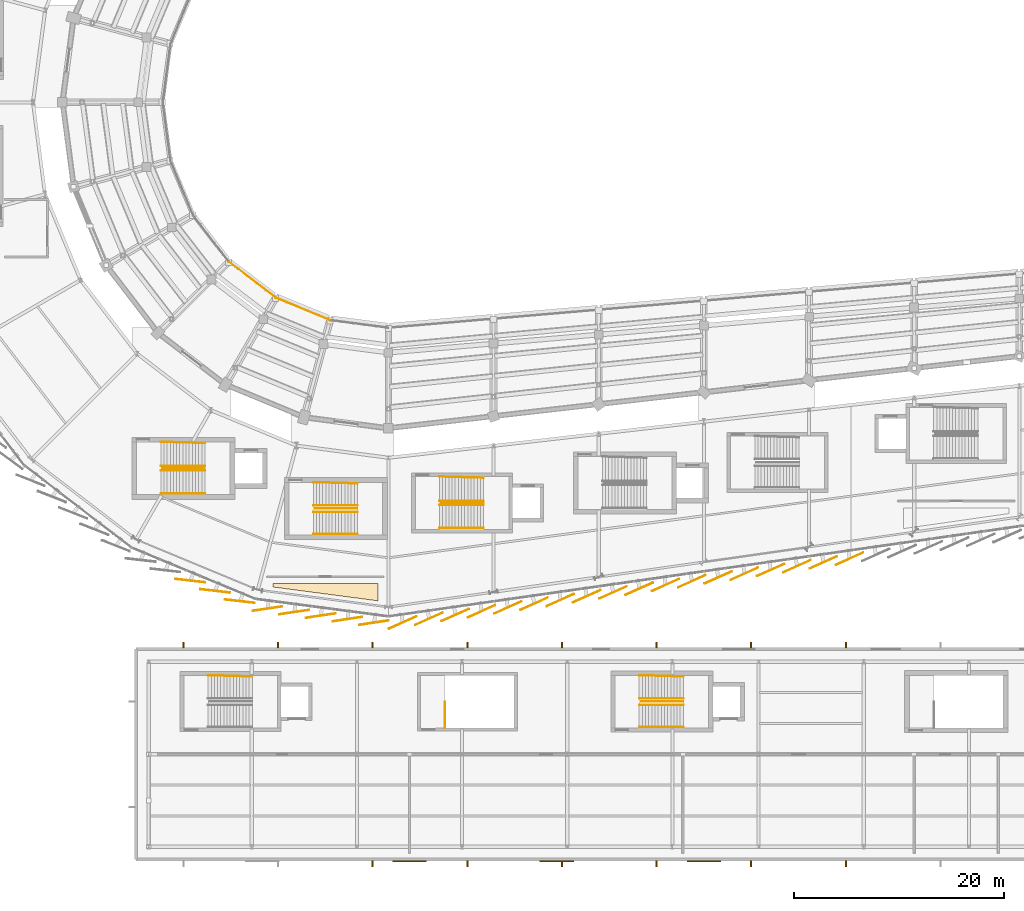
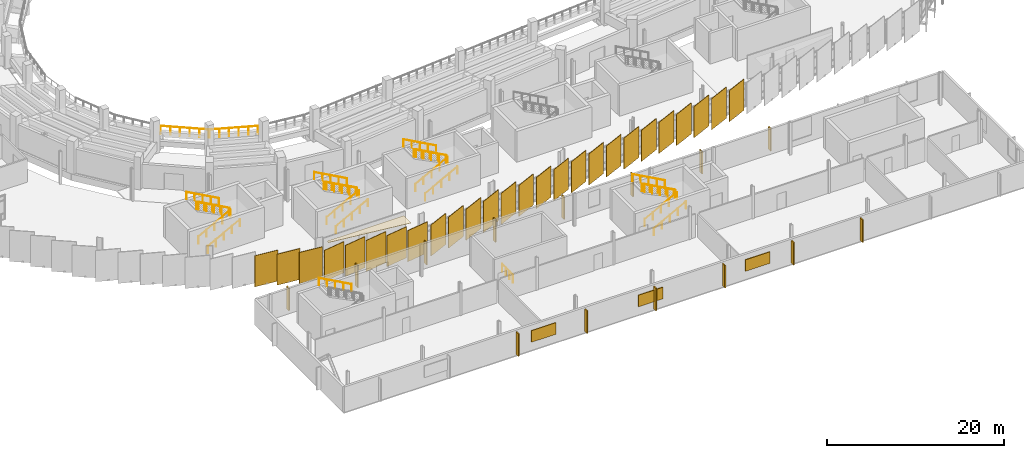
# One storey, part 112 of 120: 27 coverings, 24 railings, 17 shading devices.
"""IFC4 building model written with IfcOpenShell, lengths in metres."""

from ifc_helpers import new_model, si_unit, direction, frame, origin, origin_2d, place, context, subcontext, project, spatial, polyline, rectangle, circle, outline, extrude, material, layer, layer_set, type_object, element, save


model = new_model("IFC4")

# Units and contexts
model_context = context("Model", 3, precision=1e-05, world=origin(), true_north=direction((0.0, 1.0)))
body_context = subcontext(model_context, "Body", "Model", "MODEL_VIEW")
ifc_project = project(units=[si_unit("LENGTHUNIT", "METRE"), si_unit("AREAUNIT", "SQUARE_METRE"), si_unit("VOLUMEUNIT", "CUBIC_METRE"), si_unit("PLANEANGLEUNIT", "RADIAN"), si_unit("MASSUNIT", "GRAM", prefix="KILO")], contexts=[model_context])

# Site, building, storey
site_placement = place(None, origin())
site = spatial("IfcSite", under=ifc_project, at=site_placement, CompositionType="ELEMENT")
building_placement = place(site_placement, origin())
building = spatial("IfcBuilding", under=site, at=building_placement, Name="Sohan Crest Arena", CompositionType="ELEMENT")
storey_placement = place(building_placement, frame((0.0, 0.0, 13.5)))
storey = spatial("IfcBuildingStorey", under=building, at=storey_placement, Name="L03", CompositionType="ELEMENT", Elevation=13.5)

# Railings
ifc_material_1 = material(Name="Powder-coated wrought steel balustrade", Category="steel")
railing_type_1 = type_object("IfcRailingType", Name="ARC-GRD-01", PredefinedType="GUARDRAIL", material=ifc_material_1)
for number, where, name in (
    (1, (80.530029296875, 43.199951171875, 2.25), "Stair well slot guard GRD-019"),
    (2, (107.030029296875, 39.89990234375, 2.25), "Stair well slot guard GRD-032"),
):
    element("IfcRailing", number, at=place(storey_placement, frame(where)), inside=storey, type_object=railing_type_1, Name=name, PredefinedType="GUARDRAIL", context=body_context, shape_type="SweptSolid", body=[
        extrude(circle(Radius=0.02392578125, at=origin_2d()), frame((0.0, 0.0, 1.076171875), z_axis=(-0.87313487534, 0.0, 0.487478706678), x_axis=(0.0, -1.0, 0.0)), (0.0, 0.0, 1.0), 4.615478515625),
        extrude(circle(Radius=0.02099609375, at=origin_2d()), origin(), (0.0, 0.0, 1.0), 1.052001953125),
        extrude(circle(Radius=0.02099609375, at=origin_2d()), frame((-1.007568359375, 0.0, 0.5625)), (0.0, 0.0, 1.0), 1.052001953125),
        extrude(circle(Radius=0.02099609375, at=origin_2d()), frame((-2.01513671875, 0.0, 1.125)), (0.0, 0.0, 1.0), 1.052001953125),
        extrude(circle(Radius=0.02099609375, at=origin_2d()), frame((-3.0224609375, 0.0, 1.6875)), (0.0, 0.0, 1.0), 1.052001953125),
        extrude(circle(Radius=0.02099609375, at=origin_2d()), frame((-4.030029296875, 0.0, 2.25)), (0.0, 0.0, 1.0), 1.052001953125),
    ])
railing_1_placement = place(storey_placement, frame((103.3701171875, 18.52001953125, 0.0)))
element("IfcRailing", 3, at=railing_1_placement, inside=storey, type_object=railing_type_1, Name="Top stair landing well guard GRD-070", PredefinedType="GUARDRAIL", context=body_context, shape_type="SweptSolid", body=[
    extrude(circle(Radius=0.02392578125, at=origin_2d()), frame((0.0, 0.0, 1.076171875), z_axis=(0.0, 1.0, 0.0), x_axis=(-1.0, 0.0, 0.0)), (0.0, 0.0, 1.0), 2.4599609375),
    extrude(circle(Radius=0.02099609375, at=origin_2d()), origin(), (0.0, 0.0, 1.0), 1.052001953125),
    extrude(circle(Radius=0.02099609375, at=origin_2d()), frame((0.0, 0.820068359375, 0.0)), (0.0, 0.0, 1.0), 1.052001953125),
    extrude(circle(Radius=0.02099609375, at=origin_2d()), frame((0.0, 1.639892578125, 0.0)), (0.0, 0.0, 1.0), 1.052001953125),
    extrude(circle(Radius=0.02099609375, at=origin_2d()), frame((0.0, 2.4599609375, 0.0)), (0.0, 0.0, 1.0), 1.052001953125),
])
for number, where, name in (
    (4, (126.030029296875, 21.0, 2.25), "Stair well slot guard GRD-097"),
    (5, (95.030029296875, 39.360107421875, 2.25), "Stair well slot guard GRD-103"),
):
    element("IfcRailing", number, at=place(storey_placement, frame(where)), inside=storey, type_object=railing_type_1, Name=name, PredefinedType="GUARDRAIL", context=body_context, shape_type="SweptSolid", body=[
        extrude(circle(Radius=0.02392578125, at=origin_2d()), frame((0.0, 0.0, 1.076171875), z_axis=(-0.87313487534, 0.0, 0.487478706678), x_axis=(0.0, -1.0, 0.0)), (0.0, 0.0, 1.0), 4.615478515625),
        extrude(circle(Radius=0.02099609375, at=origin_2d()), origin(), (0.0, 0.0, 1.0), 1.052001953125),
        extrude(circle(Radius=0.02099609375, at=origin_2d()), frame((-1.007568359375, 0.0, 0.5625)), (0.0, 0.0, 1.0), 1.052001953125),
        extrude(circle(Radius=0.02099609375, at=origin_2d()), frame((-2.01513671875, 0.0, 1.125)), (0.0, 0.0, 1.0), 1.052001953125),
        extrude(circle(Radius=0.02099609375, at=origin_2d()), frame((-3.0224609375, 0.0, 1.6875)), (0.0, 0.0, 1.0), 1.052001953125),
        extrude(circle(Radius=0.02099609375, at=origin_2d()), frame((-4.030029296875, 0.0, 2.25)), (0.0, 0.0, 1.0), 1.052001953125),
    ])
ifc_material_2 = material(Name="Laminated glass and steel sightline guard", Category="steel")
railing_type_2 = type_object("IfcRailingType", Name="ARC-GRD-02", PredefinedType="GUARDRAIL", material=ifc_material_2)
railing_2_placement = place(storey_placement, frame((82.864990234375, 62.80908203125, 0.85009765625)))
element("IfcRailing", 6, at=railing_2_placement, inside=storey, type_object=railing_type_2, Name="Upper tier cantilevered sightline guard GRD-166", PredefinedType="GUARDRAIL", context=body_context, shape_type="SweptSolid", body=[
    extrude(circle(Radius=0.02392578125, at=origin_2d()), frame((0.0, 0.0, 1.1259765625), z_axis=(0.793197524177, -0.608964438732, 0.0), x_axis=(0.608964438732, 0.793197524177, 0.0)), (0.0, 0.0, 1.0), 5.519287109375),
    extrude(circle(Radius=0.02099609375, at=origin_2d()), origin(), (0.0, 0.0, 1.0), 1.101806640625),
    extrude(circle(Radius=0.02099609375, at=origin_2d()), frame((0.87548828125, -0.672119140625, 0.0)), (0.0, 0.0, 1.0), 1.101806640625),
    extrude(circle(Radius=0.02099609375, at=origin_2d()), frame((1.751220703125, -1.344482421875, 0.0)), (0.0, 0.0, 1.0), 1.101806640625),
    extrude(circle(Radius=0.02099609375, at=origin_2d()), frame((2.626708984375, -2.0166015625, 0.0)), (0.0, 0.0, 1.0), 1.101806640625),
    extrude(circle(Radius=0.02099609375, at=origin_2d()), frame((3.50244140625, -2.68896484375, 0.0)), (0.0, 0.0, 1.0), 1.101806640625),
    extrude(circle(Radius=0.02099609375, at=origin_2d()), frame((4.3779296875, -3.361083984375, 0.0)), (0.0, 0.0, 1.0), 1.101806640625),
])
railing_3_placement = place(storey_placement, frame((87.31201171875, 59.408935546875, 0.85009765625)))
element("IfcRailing", 7, at=railing_3_placement, inside=storey, type_object=railing_type_2, Name="Upper tier cantilevered sightline guard GRD-167", PredefinedType="GUARDRAIL", context=body_context, shape_type="SweptSolid", body=[
    extrude(circle(Radius=0.02392578125, at=origin_2d()), frame((0.0, 0.0, 1.1259765625), z_axis=(0.92381462183, -0.382840103037, 0.0), x_axis=(0.382840103037, 0.92381462183, 0.0)), (0.0, 0.0, 1.0), 5.519287109375),
    extrude(circle(Radius=0.02099609375, at=origin_2d()), origin(), (0.0, 0.0, 1.0), 1.101806640625),
    extrude(circle(Radius=0.02099609375, at=origin_2d()), frame((1.019775390625, -0.422607421875, 0.0)), (0.0, 0.0, 1.0), 1.101806640625),
    extrude(circle(Radius=0.02099609375, at=origin_2d()), frame((2.03955078125, -0.84521484375, 0.0)), (0.0, 0.0, 1.0), 1.101806640625),
    extrude(circle(Radius=0.02099609375, at=origin_2d()), frame((3.059326171875, -1.267822265625, 0.0)), (0.0, 0.0, 1.0), 1.101806640625),
    extrude(circle(Radius=0.02099609375, at=origin_2d()), frame((4.0791015625, -1.6904296875, 0.0)), (0.0, 0.0, 1.0), 1.101806640625),
    extrude(circle(Radius=0.02099609375, at=origin_2d()), frame((5.098876953125, -2.113037109375, 0.0)), (0.0, 0.0, 1.0), 1.101806640625),
])
ifc_material_3 = material(Name="Brushed stainless steel stair handrail", Category="steel")
railing_type_3 = type_object("IfcRailingType", Name="ARC-HR-01", PredefinedType="HANDRAIL", material=ifc_material_3)
for number, where, name in (
    (8, (76.35009765625, 40.81005859375, 0.0), "Stair pitch handrail HR-065"),
    (9, (76.35009765625, 42.989990234375, 0.0), "Stair pitch handrail HR-066"),
):
    element("IfcRailing", number, at=place(storey_placement, frame(where)), inside=storey, type_object=railing_type_3, Name=name, PredefinedType="HANDRAIL", context=body_context, shape_type="SweptSolid", body=[
        extrude(circle(Radius=0.02392578125, at=origin_2d()), frame((0.0, 0.0, 0.97607421875), z_axis=(0.881477684796, 0.0, 0.472225678258), x_axis=(0.0, 1.0, 0.0)), (0.0, 0.0, 1.0), 4.7646484375),
        extrude(circle(Radius=0.02099609375, at=origin_2d()), origin(), (0.0, 0.0, 1.0), 0.951904296875),
        extrude(circle(Radius=0.02099609375, at=origin_2d()), frame((1.050048828125, 0.0, 0.5625)), (0.0, 0.0, 1.0), 0.951904296875),
        extrude(circle(Radius=0.02099609375, at=origin_2d()), frame((2.10009765625, 0.0, 1.125)), (0.0, 0.0, 1.0), 0.951904296875),
        extrude(circle(Radius=0.02099609375, at=origin_2d()), frame((3.14990234375, 0.0, 1.6875)), (0.0, 0.0, 1.0), 0.951904296875),
        extrude(circle(Radius=0.02099609375, at=origin_2d()), frame((4.199951171875, 0.0, 2.25)), (0.0, 0.0, 1.0), 0.951904296875),
    ])
railing_4_placement = place(storey_placement, frame((80.550048828125, 43.409912109375, 2.25)))
element("IfcRailing", 10, at=railing_4_placement, inside=storey, type_object=railing_type_3, Name="Stair pitch handrail HR-067", PredefinedType="HANDRAIL", context=body_context, shape_type="SweptSolid", body=[
    extrude(circle(Radius=0.02392578125, at=origin_2d()), frame((0.0, 0.0, 0.97607421875), z_axis=(-0.881477684796, 0.0, 0.472225678258), x_axis=(0.0, -1.0, 0.0)), (0.0, 0.0, 1.0), 4.7646484375),
    extrude(circle(Radius=0.02099609375, at=origin_2d()), origin(), (0.0, 0.0, 1.0), 0.951904296875),
    extrude(circle(Radius=0.02099609375, at=origin_2d()), frame((-1.050048828125, 0.0, 0.5625)), (0.0, 0.0, 1.0), 0.951904296875),
    extrude(circle(Radius=0.02099609375, at=origin_2d()), frame((-2.10009765625, 0.0, 1.125)), (0.0, 0.0, 1.0), 0.951904296875),
    extrude(circle(Radius=0.02099609375, at=origin_2d()), frame((-3.14990234375, 0.0, 1.6875)), (0.0, 0.0, 1.0), 0.951904296875),
    extrude(circle(Radius=0.02099609375, at=origin_2d()), frame((-4.199951171875, 0.0, 2.25)), (0.0, 0.0, 1.0), 0.951904296875),
])
railing_5_placement = place(storey_placement, frame((80.550048828125, 45.590087890625, 2.25)))
element("IfcRailing", 11, at=railing_5_placement, inside=storey, type_object=railing_type_3, Name="Stair pitch handrail HR-068", PredefinedType="HANDRAIL", context=body_context, shape_type="SweptSolid", body=[
    extrude(circle(Radius=0.02392578125, at=origin_2d()), frame((0.0, 0.0, 0.97607421875), z_axis=(-0.881198846469, 0.025150766356, 0.472076298847), x_axis=(-0.028529915312, -0.999592939117, 0.0)), (0.0, 0.0, 1.0), 4.76611328125),
    extrude(circle(Radius=0.02099609375, at=origin_2d()), origin(), (0.0, 0.0, 1.0), 0.951904296875),
    extrude(circle(Radius=0.02099609375, at=origin_2d()), frame((-1.050048828125, 0.030029296875, 0.5625)), (0.0, 0.0, 1.0), 0.951904296875),
    extrude(circle(Radius=0.02099609375, at=origin_2d()), frame((-2.10009765625, 0.06005859375, 1.125)), (0.0, 0.0, 1.0), 0.951904296875),
    extrude(circle(Radius=0.02099609375, at=origin_2d()), frame((-3.14990234375, 0.08984375, 1.6875)), (0.0, 0.0, 1.0), 0.951904296875),
    extrude(circle(Radius=0.02099609375, at=origin_2d()), frame((-4.199951171875, 0.119873046875, 2.25)), (0.0, 0.0, 1.0), 0.951904296875),
])
for number, where, name in (
    (12, (102.85009765625, 37.510009765625, 0.0), "Stair pitch handrail HR-109"),
    (13, (102.85009765625, 39.68994140625, 0.0), "Stair pitch handrail HR-110"),
):
    element("IfcRailing", number, at=place(storey_placement, frame(where)), inside=storey, type_object=railing_type_3, Name=name, PredefinedType="HANDRAIL", context=body_context, shape_type="SweptSolid", body=[
        extrude(circle(Radius=0.02392578125, at=origin_2d()), frame((0.0, 0.0, 0.97607421875), z_axis=(0.881477684796, 0.0, 0.472225678258), x_axis=(0.0, 1.0, 0.0)), (0.0, 0.0, 1.0), 4.7646484375),
        extrude(circle(Radius=0.02099609375, at=origin_2d()), origin(), (0.0, 0.0, 1.0), 0.951904296875),
        extrude(circle(Radius=0.02099609375, at=origin_2d()), frame((1.050048828125, 0.0, 0.5625)), (0.0, 0.0, 1.0), 0.951904296875),
        extrude(circle(Radius=0.02099609375, at=origin_2d()), frame((2.10009765625, 0.0, 1.125)), (0.0, 0.0, 1.0), 0.951904296875),
        extrude(circle(Radius=0.02099609375, at=origin_2d()), frame((3.14990234375, 0.0, 1.6875)), (0.0, 0.0, 1.0), 0.951904296875),
        extrude(circle(Radius=0.02099609375, at=origin_2d()), frame((4.199951171875, 0.0, 2.25)), (0.0, 0.0, 1.0), 0.951904296875),
    ])
railing_6_placement = place(storey_placement, frame((107.050048828125, 40.110107421875, 2.25)))
element("IfcRailing", 14, at=railing_6_placement, inside=storey, type_object=railing_type_3, Name="Stair pitch handrail HR-111", PredefinedType="HANDRAIL", context=body_context, shape_type="SweptSolid", body=[
    extrude(circle(Radius=0.02392578125, at=origin_2d()), frame((0.0, 0.0, 0.97607421875), z_axis=(-0.881477684796, 0.0, 0.472225678258), x_axis=(0.0, -1.0, 0.0)), (0.0, 0.0, 1.0), 4.7646484375),
    extrude(circle(Radius=0.02099609375, at=origin_2d()), origin(), (0.0, 0.0, 1.0), 0.951904296875),
    extrude(circle(Radius=0.02099609375, at=origin_2d()), frame((-1.050048828125, 0.0, 0.5625)), (0.0, 0.0, 1.0), 0.951904296875),
    extrude(circle(Radius=0.02099609375, at=origin_2d()), frame((-2.10009765625, 0.0, 1.125)), (0.0, 0.0, 1.0), 0.951904296875),
    extrude(circle(Radius=0.02099609375, at=origin_2d()), frame((-3.14990234375, 0.0, 1.6875)), (0.0, 0.0, 1.0), 0.951904296875),
    extrude(circle(Radius=0.02099609375, at=origin_2d()), frame((-4.199951171875, 0.0, 2.25)), (0.0, 0.0, 1.0), 0.951904296875),
])
railing_7_placement = place(storey_placement, frame((107.050048828125, 42.2900390625, 2.25)))
element("IfcRailing", 15, at=railing_7_placement, inside=storey, type_object=railing_type_3, Name="Stair pitch handrail HR-112", PredefinedType="HANDRAIL", context=body_context, shape_type="SweptSolid", body=[
    extrude(circle(Radius=0.02392578125, at=origin_2d()), frame((0.0, 0.0, 0.97607421875), z_axis=(-0.881198846469, 0.025150766356, 0.472076298847), x_axis=(-0.028529915312, -0.999592939117, 0.0)), (0.0, 0.0, 1.0), 4.76611328125),
    extrude(circle(Radius=0.02099609375, at=origin_2d()), origin(), (0.0, 0.0, 1.0), 0.951904296875),
    extrude(circle(Radius=0.02099609375, at=origin_2d()), frame((-1.050048828125, 0.030029296875, 0.5625)), (0.0, 0.0, 1.0), 0.951904296875),
    extrude(circle(Radius=0.02099609375, at=origin_2d()), frame((-2.10009765625, 0.06005859375, 1.125)), (0.0, 0.0, 1.0), 0.951904296875),
    extrude(circle(Radius=0.02099609375, at=origin_2d()), frame((-3.14990234375, 0.08984375, 1.6875)), (0.0, 0.0, 1.0), 0.951904296875),
    extrude(circle(Radius=0.02099609375, at=origin_2d()), frame((-4.199951171875, 0.119873046875, 2.25)), (0.0, 0.0, 1.0), 0.951904296875),
])
railing_8_placement = place(storey_placement, frame((85.050048828125, 23.389892578125, 2.25)))
element("IfcRailing", 16, at=railing_8_placement, inside=storey, type_object=railing_type_3, Name="Stair pitch handrail HR-300", PredefinedType="HANDRAIL", context=body_context, shape_type="SweptSolid", body=[
    extrude(circle(Radius=0.02392578125, at=origin_2d()), frame((0.0, 0.0, 0.97607421875), z_axis=(-0.881197710057, 0.025201957411, 0.472075690047), x_axis=(-0.028587973606, -0.999591280357, 0.0)), (0.0, 0.0, 1.0), 4.76611328125),
    extrude(circle(Radius=0.02099609375, at=origin_2d()), origin(), (0.0, 0.0, 1.0), 0.951904296875),
    extrude(circle(Radius=0.02099609375, at=origin_2d()), frame((-1.050048828125, 0.030029296875, 0.5625)), (0.0, 0.0, 1.0), 0.951904296875),
    extrude(circle(Radius=0.02099609375, at=origin_2d()), frame((-2.10009765625, 0.06005859375, 1.125)), (0.0, 0.0, 1.0), 0.951904296875),
    extrude(circle(Radius=0.02099609375, at=origin_2d()), frame((-3.14990234375, 0.090087890625, 1.6875)), (0.0, 0.0, 1.0), 0.951904296875),
    extrude(circle(Radius=0.02099609375, at=origin_2d()), frame((-4.199951171875, 0.1201171875, 2.25)), (0.0, 0.0, 1.0), 0.951904296875),
])
for number, where, name in (
    (17, (121.85009765625, 18.610107421875, 0.0), "Stair pitch handrail HR-317"),
    (18, (121.85009765625, 20.68994140625, 0.0), "Stair pitch handrail HR-318"),
):
    element("IfcRailing", number, at=place(storey_placement, frame(where)), inside=storey, type_object=railing_type_3, Name=name, PredefinedType="HANDRAIL", context=body_context, shape_type="SweptSolid", body=[
        extrude(circle(Radius=0.02392578125, at=origin_2d()), frame((0.0, 0.0, 0.97607421875), z_axis=(0.881477684796, 0.0, 0.472225678258), x_axis=(0.0, 1.0, 0.0)), (0.0, 0.0, 1.0), 4.7646484375),
        extrude(circle(Radius=0.02099609375, at=origin_2d()), origin(), (0.0, 0.0, 1.0), 0.951904296875),
        extrude(circle(Radius=0.02099609375, at=origin_2d()), frame((1.050048828125, 0.0, 0.5625)), (0.0, 0.0, 1.0), 0.951904296875),
        extrude(circle(Radius=0.02099609375, at=origin_2d()), frame((2.10009765625, 0.0, 1.125)), (0.0, 0.0, 1.0), 0.951904296875),
        extrude(circle(Radius=0.02099609375, at=origin_2d()), frame((3.14990234375, 0.0, 1.6875)), (0.0, 0.0, 1.0), 0.951904296875),
        extrude(circle(Radius=0.02099609375, at=origin_2d()), frame((4.199951171875, 0.0, 2.25)), (0.0, 0.0, 1.0), 0.951904296875),
    ])
railing_9_placement = place(storey_placement, frame((126.050048828125, 21.31005859375, 2.25)))
element("IfcRailing", 19, at=railing_9_placement, inside=storey, type_object=railing_type_3, Name="Stair pitch handrail HR-319", PredefinedType="HANDRAIL", context=body_context, shape_type="SweptSolid", body=[
    extrude(circle(Radius=0.02392578125, at=origin_2d()), frame((0.0, 0.0, 0.97607421875), z_axis=(-0.881477684796, 0.0, 0.472225678258), x_axis=(0.0, -1.0, 0.0)), (0.0, 0.0, 1.0), 4.7646484375),
    extrude(circle(Radius=0.02099609375, at=origin_2d()), origin(), (0.0, 0.0, 1.0), 0.951904296875),
    extrude(circle(Radius=0.02099609375, at=origin_2d()), frame((-1.050048828125, 0.0, 0.5625)), (0.0, 0.0, 1.0), 0.951904296875),
    extrude(circle(Radius=0.02099609375, at=origin_2d()), frame((-2.10009765625, 0.0, 1.125)), (0.0, 0.0, 1.0), 0.951904296875),
    extrude(circle(Radius=0.02099609375, at=origin_2d()), frame((-3.14990234375, 0.0, 1.6875)), (0.0, 0.0, 1.0), 0.951904296875),
    extrude(circle(Radius=0.02099609375, at=origin_2d()), frame((-4.199951171875, 0.0, 2.25)), (0.0, 0.0, 1.0), 0.951904296875),
])
railing_10_placement = place(storey_placement, frame((126.050048828125, 23.389892578125, 2.25)))
element("IfcRailing", 20, at=railing_10_placement, inside=storey, type_object=railing_type_3, Name="Stair pitch handrail HR-320", PredefinedType="HANDRAIL", context=body_context, shape_type="SweptSolid", body=[
    extrude(circle(Radius=0.02392578125, at=origin_2d()), frame((0.0, 0.0, 0.97607421875), z_axis=(-0.881197710057, 0.025201957411, 0.472075690047), x_axis=(-0.028587973606, -0.999591280357, 0.0)), (0.0, 0.0, 1.0), 4.76611328125),
    extrude(circle(Radius=0.02099609375, at=origin_2d()), origin(), (0.0, 0.0, 1.0), 0.951904296875),
    extrude(circle(Radius=0.02099609375, at=origin_2d()), frame((-1.050048828125, 0.030029296875, 0.5625)), (0.0, 0.0, 1.0), 0.951904296875),
    extrude(circle(Radius=0.02099609375, at=origin_2d()), frame((-2.10009765625, 0.06005859375, 1.125)), (0.0, 0.0, 1.0), 0.951904296875),
    extrude(circle(Radius=0.02099609375, at=origin_2d()), frame((-3.14990234375, 0.090087890625, 1.6875)), (0.0, 0.0, 1.0), 0.951904296875),
    extrude(circle(Radius=0.02099609375, at=origin_2d()), frame((-4.199951171875, 0.1201171875, 2.25)), (0.0, 0.0, 1.0), 0.951904296875),
])
for number, where, name in (
    (21, (90.85009765625, 36.969970703125, 0.0), "Stair pitch handrail HR-337"),
    (22, (90.85009765625, 39.050048828125, 0.0), "Stair pitch handrail HR-338"),
):
    element("IfcRailing", number, at=place(storey_placement, frame(where)), inside=storey, type_object=railing_type_3, Name=name, PredefinedType="HANDRAIL", context=body_context, shape_type="SweptSolid", body=[
        extrude(circle(Radius=0.02392578125, at=origin_2d()), frame((0.0, 0.0, 0.97607421875), z_axis=(0.881477684796, 0.0, 0.472225678258), x_axis=(0.0, 1.0, 0.0)), (0.0, 0.0, 1.0), 4.7646484375),
        extrude(circle(Radius=0.02099609375, at=origin_2d()), origin(), (0.0, 0.0, 1.0), 0.951904296875),
        extrude(circle(Radius=0.02099609375, at=origin_2d()), frame((1.050048828125, 0.0, 0.5625)), (0.0, 0.0, 1.0), 0.951904296875),
        extrude(circle(Radius=0.02099609375, at=origin_2d()), frame((2.10009765625, 0.0, 1.125)), (0.0, 0.0, 1.0), 0.951904296875),
        extrude(circle(Radius=0.02099609375, at=origin_2d()), frame((3.14990234375, 0.0, 1.6875)), (0.0, 0.0, 1.0), 0.951904296875),
        extrude(circle(Radius=0.02099609375, at=origin_2d()), frame((4.199951171875, 0.0, 2.25)), (0.0, 0.0, 1.0), 0.951904296875),
    ])
railing_11_placement = place(storey_placement, frame((95.050048828125, 39.669921875, 2.25)))
element("IfcRailing", 23, at=railing_11_placement, inside=storey, type_object=railing_type_3, Name="Stair pitch handrail HR-339", PredefinedType="HANDRAIL", context=body_context, shape_type="SweptSolid", body=[
    extrude(circle(Radius=0.02392578125, at=origin_2d()), frame((0.0, 0.0, 0.97607421875), z_axis=(-0.881477684796, 0.0, 0.472225678258), x_axis=(0.0, -1.0, 0.0)), (0.0, 0.0, 1.0), 4.7646484375),
    extrude(circle(Radius=0.02099609375, at=origin_2d()), origin(), (0.0, 0.0, 1.0), 0.951904296875),
    extrude(circle(Radius=0.02099609375, at=origin_2d()), frame((-1.050048828125, 0.0, 0.5625)), (0.0, 0.0, 1.0), 0.951904296875),
    extrude(circle(Radius=0.02099609375, at=origin_2d()), frame((-2.10009765625, 0.0, 1.125)), (0.0, 0.0, 1.0), 0.951904296875),
    extrude(circle(Radius=0.02099609375, at=origin_2d()), frame((-3.14990234375, 0.0, 1.6875)), (0.0, 0.0, 1.0), 0.951904296875),
    extrude(circle(Radius=0.02099609375, at=origin_2d()), frame((-4.199951171875, 0.0, 2.25)), (0.0, 0.0, 1.0), 0.951904296875),
])
railing_12_placement = place(storey_placement, frame((95.050048828125, 41.75, 2.25)))
element("IfcRailing", 24, at=railing_12_placement, inside=storey, type_object=railing_type_3, Name="Stair pitch handrail HR-340", PredefinedType="HANDRAIL", context=body_context, shape_type="SweptSolid", body=[
    extrude(circle(Radius=0.02392578125, at=origin_2d()), frame((0.0, 0.0, 0.97607421875), z_axis=(-0.881197710057, 0.025201957411, 0.472075690047), x_axis=(-0.028587973606, -0.999591280357, 0.0)), (0.0, 0.0, 1.0), 4.76611328125),
    extrude(circle(Radius=0.02099609375, at=origin_2d()), origin(), (0.0, 0.0, 1.0), 0.951904296875),
    extrude(circle(Radius=0.02099609375, at=origin_2d()), frame((-1.050048828125, 0.030029296875, 0.5625)), (0.0, 0.0, 1.0), 0.951904296875),
    extrude(circle(Radius=0.02099609375, at=origin_2d()), frame((-2.10009765625, 0.06005859375, 1.125)), (0.0, 0.0, 1.0), 0.951904296875),
    extrude(circle(Radius=0.02099609375, at=origin_2d()), frame((-3.14990234375, 0.090087890625, 1.6875)), (0.0, 0.0, 1.0), 0.951904296875),
    extrude(circle(Radius=0.02099609375, at=origin_2d()), frame((-4.199951171875, 0.1201171875, 2.25)), (0.0, 0.0, 1.0), 0.951904296875),
])

# Shading devices
ifc_material_4 = material(Name="Glazed terracotta ceramic solar fin", Category="masonry")
ifc_layer_1 = layer(ifc_material_4, 0.070068359375, Name="Glazed terracotta ceramic solar fin")
ifc_layer_set_1 = layer_set([ifc_layer_1], Name="Glazed terracotta ceramic solar fin")
shading_device_type_1 = type_object("IfcShadingDeviceType", Name="ARC-SHD-FIN1", PredefinedType="USERDEFINED", material=ifc_layer_set_1)
for number, where, z_axis, x_axis, name in (
    (25, (96.5, 5.60009765625, 0.199951171875), (0.0, 0.0, 1.0), (1.0, 0.0, 0.0), "Catalan terracotta facade fin FIN-101"),
    (26, (105.5, 5.60009765625, 0.199951171875), (0.0, 0.0, 1.0), (1.0, 0.0, 0.0), "Catalan terracotta facade fin FIN-102"),
    (27, (114.5, 5.60009765625, 0.199951171875), (0.0, 0.0, 1.0), (1.0, 0.0, 0.0), "Catalan terracotta facade fin FIN-103"),
    (28, (123.5, 5.60009765625, 0.199951171875), (0.0, 0.0, 1.0), (1.0, 0.0, 0.0), "Catalan terracotta facade fin FIN-104"),
    (29, (132.5, 5.60009765625, 0.199951171875), (0.0, 0.0, 1.0), (1.0, 0.0, 0.0), "Catalan terracotta facade fin FIN-105"),
    (30, (141.5, 5.60009765625, 0.199951171875), (0.0, 0.0, 1.0), (1.0, 0.0, 0.0), "Catalan terracotta facade fin FIN-106"),
    (31, (141.5, 26.39990234375, 0.199951171875), (0.0, 0.0, 1.0), (-1.0, 0.0, 0.0), "Catalan terracotta facade fin FIN-117"),
    (32, (132.5, 26.39990234375, 0.199951171875), (0.0, 0.0, 1.0), (-1.0, 0.0, 0.0), "Catalan terracotta facade fin FIN-118"),
    (33, (123.5, 26.39990234375, 0.199951171875), (0.0, 0.0, 1.0), (-1.0, 0.0, 0.0), "Catalan terracotta facade fin FIN-119"),
    (34, (114.5, 26.39990234375, 0.199951171875), (0.0, 0.0, 1.0), (-1.0, 0.0, 0.0), "Catalan terracotta facade fin FIN-120"),
    (35, (105.5, 26.39990234375, 0.199951171875), (0.0, 0.0, 1.0), (-1.0, 0.0, 0.0), "Catalan terracotta facade fin FIN-121"),
    (36, (96.5, 26.39990234375, 0.199951171875), (0.0, 0.0, 1.0), (-1.0, 0.0, 0.0), "Catalan terracotta facade fin FIN-122"),
    (37, (87.5, 26.39990234375, 0.199951171875), (0.0, 0.0, 1.0), (-1.0, 0.0, 0.0), "Catalan terracotta facade fin FIN-123"),
    (38, (78.5, 26.39990234375, 0.199951171875), (0.0, 0.0, 1.0), (-1.0, 0.0, 0.0), "Catalan terracotta facade fin FIN-124"),
):
    element("IfcShadingDevice", number, at=place(storey_placement, frame(where, z_axis=z_axis, x_axis=x_axis)), inside=storey, type_object=shading_device_type_1, Name=name, ObjectType="FIN", PredefinedType="USERDEFINED", context=body_context, shape_type="SweptSolid", body=[
        extrude(rectangle(XDim=0.139892578125, YDim=0.550048828125, at=origin_2d()), origin(), (0.0, 0.0, 1.0), 3.10009765625),
    ])
ifc_material_5 = material(Name="Thermally broken anodised aluminium", Category="aluminium")
ifc_layer_2 = layer(ifc_material_5, 0.10009765625, Name="Thermally broken anodised aluminium")
ifc_layer_set_2 = layer_set([ifc_layer_2], Name="Thermally broken anodised aluminium")
shading_device_type_2 = type_object("IfcShadingDeviceType", Name="ARC-SHD-LV1", PredefinedType="JALOUSIE", material=ifc_layer_set_2)
for number, where, z_axis, x_axis, name in (
    (39, (100.0, 5.81494140625, 1.199951171875), (0.0, 0.0, 1.0), (1.0, 0.0, 0.0), "Acoustic plant weather louvre LV-110"),
    (40, (114.0, 5.81494140625, 1.199951171875), (0.0, 0.0, 1.0), (1.0, 0.0, 0.0), "Acoustic plant weather louvre LV-111"),
    (41, (128.0, 5.81494140625, 1.199951171875), (0.0, 0.0, 1.0), (1.0, 0.0, 0.0), "Acoustic plant weather louvre LV-112"),
):
    element("IfcShadingDevice", number, at=place(storey_placement, frame(where, z_axis=z_axis, x_axis=x_axis)), inside=storey, type_object=shading_device_type_2, Name=name, PredefinedType="JALOUSIE", context=body_context, shape_type="SweptSolid", body=[
        extrude(rectangle(XDim=3.199951171875, YDim=0.10009765625, at=origin_2d()), origin(), (0.0, 0.0, 1.0), 1.60009765625),
    ])

# Coverings
ifc_material_6 = material(Name="Acoustic mineral-fibre ceiling tile")
ifc_layer_3 = layer(ifc_material_6, 0.044921875, Name="Acoustic mineral-fibre ceiling tile")
ifc_layer_set_3 = layer_set([ifc_layer_3], Name="Acoustic mineral-fibre ceiling tile")
covering_type_1 = type_object("IfcCoveringType", Name="COV-CL1", PredefinedType="CEILING", material=ifc_layer_set_3)
covering_placement = place(storey_placement, frame((0.0, 0.0, 3.10009765625)))
element("IfcCovering", 42, at=covering_placement, inside=storey, type_object=covering_type_1, Name="Suspended acoustic ceiling CL-002", PredefinedType="CEILING", context=body_context, shape_type="SweptSolid", body=[
    extrude(outline(polyline([(87.0, 31.909912109375), (87.0, 32.235107421875), (97.0, 32.235107421875), (97.0, 30.593017578125), (87.0, 31.909912109375)])), origin(), (0.0, 0.0, 1.0), 0.0498046875),
])
ifc_material_7 = material(Name="Glazed ivory trencadis ceramic cladding", Category="masonry")
ifc_layer_4 = layer(ifc_material_7, 0.06494140625, Name="Glazed ivory trencadis ceramic cladding")
ifc_layer_set_4 = layer_set([ifc_layer_4], Name="Glazed ivory trencadis ceramic cladding")
covering_type_2 = type_object("IfcCoveringType", Name="COV-SC-IV", PredefinedType="CLADDING", material=ifc_layer_set_4)
for number, where, z_axis, x_axis, name in (
    (43, (79.156005859375, 32.506103515625, -0.2001953125), (0.0, 0.0, 1.0), (0.993571855677, -0.113203213768, 0.0), "Rotated trencadis ceramic scale panel SC-0303"),
    (44, (81.514892578125, 31.529052734375, -0.2001953125), (0.0, 0.0, 1.0), (0.993571855677, -0.113203213768, 0.0), "Rotated trencadis ceramic scale panel SC-0304"),
    (45, (83.8740234375, 30.552001953125, -0.2001953125), (0.0, 0.0, 1.0), (0.993571855677, -0.113203213768, 0.0), "Rotated trencadis ceramic scale panel SC-0305"),
    (46, (86.510009765625, 29.845947265625, -0.2001953125), (0.0, 0.0, 1.0), (0.989015863362, 0.14780941113, 0.0), "Rotated trencadis ceramic scale panel SC-0306"),
    (47, (89.0419921875, 29.512939453125, -0.2001953125), (0.0, 0.0, 1.0), (0.989015863362, 0.14780941113, 0.0), "Rotated trencadis ceramic scale panel SC-0307"),
    (48, (91.572998046875, 29.179931640625, -0.2001953125), (0.0, 0.0, 1.0), (0.989015863362, 0.14780941113, 0.0), "Rotated trencadis ceramic scale panel SC-0308"),
    (49, (94.10400390625, 28.845947265625, -0.2001953125), (0.0, 0.0, 1.0), (0.989015863362, 0.14780941113, 0.0), "Rotated trencadis ceramic scale panel SC-0309"),
    (50, (99.35791015625, 28.52587890625, -0.2001953125), (0.0, 0.0, 1.0), (0.912834177233, 0.408330460381, 0.0), "Rotated trencadis ceramic scale panel SC-0311"),
    (51, (101.85791015625, 28.884033203125, -0.2001953125), (0.0, 0.0, 1.0), (0.912834177233, 0.408330460381, 0.0), "Rotated trencadis ceramic scale panel SC-0312"),
    (52, (104.35791015625, 29.240966796875, -0.2001953125), (0.0, 0.0, 1.0), (0.912834177233, 0.408330460381, 0.0), "Rotated trencadis ceramic scale panel SC-0313"),
    (53, (109.35693359375, 29.955078125, -0.2001953125), (0.0, 0.0, 1.0), (0.912834177233, 0.408330460381, 0.0), "Rotated trencadis ceramic scale panel SC-0315"),
    (54, (111.85693359375, 30.31201171875, -0.2001953125), (0.0, 0.0, 1.0), (0.912834177233, 0.408330460381, 0.0), "Rotated trencadis ceramic scale panel SC-0316"),
    (55, (116.85693359375, 31.02587890625, -0.2001953125), (0.0, 0.0, 1.0), (0.912834177233, 0.408330460381, 0.0), "Rotated trencadis ceramic scale panel SC-0318"),
    (56, (119.35791015625, 31.383056640625, -0.2001953125), (0.0, 0.0, 1.0), (0.912834177233, 0.408330460381, 0.0), "Rotated trencadis ceramic scale panel SC-0319"),
    (57, (124.35791015625, 32.097900390625, -0.2001953125), (0.0, 0.0, 1.0), (0.912834177233, 0.408330460381, 0.0), "Rotated trencadis ceramic scale panel SC-0321"),
    (58, (126.85791015625, 32.455078125, -0.2001953125), (0.0, 0.0, 1.0), (0.912834177233, 0.408330460381, 0.0), "Rotated trencadis ceramic scale panel SC-0322"),
    (59, (131.85693359375, 33.1689453125, -0.2001953125), (0.0, 0.0, 1.0), (0.912834177233, 0.408330460381, 0.0), "Rotated trencadis ceramic scale panel SC-0324"),
    (60, (134.35693359375, 33.52587890625, -0.2001953125), (0.0, 0.0, 1.0), (0.912834177233, 0.408330460381, 0.0), "Rotated trencadis ceramic scale panel SC-0325"),
    (61, (136.85693359375, 33.883056640625, -0.2001953125), (0.0, 0.0, 1.0), (0.912834177233, 0.408330460381, 0.0), "Rotated trencadis ceramic scale panel SC-0326"),
    (62, (139.35791015625, 34.239990234375, -0.2001953125), (0.0, 0.0, 1.0), (0.912834177233, 0.408330460381, 0.0), "Rotated trencadis ceramic scale panel SC-0327"),
    (63, (141.85791015625, 34.597900390625, -0.2001953125), (0.0, 0.0, 1.0), (0.912834177233, 0.408330460381, 0.0), "Rotated trencadis ceramic scale panel SC-0328"),
):
    element("IfcCovering", number, at=place(storey_placement, frame(where, z_axis=z_axis, x_axis=x_axis)), inside=storey, type_object=covering_type_2, Name=name, PredefinedType="CLADDING", context=body_context, shape_type="SweptSolid", body=[
        extrude(rectangle(XDim=2.85009765625, YDim=0.06494140625, at=origin_2d()), origin(), (0.0, 0.0, 1.0), 4.300048828125),
    ])
ifc_material_8 = material(Name="Glazed terracotta trencadis ceramic cladding", Category="masonry")
ifc_layer_5 = layer(ifc_material_8, 0.074951171875, Name="Glazed terracotta trencadis ceramic cladding")
ifc_layer_set_5 = layer_set([ifc_layer_5], Name="Glazed terracotta trencadis ceramic cladding")
covering_type_3 = type_object("IfcCoveringType", Name="COV-SC-TC", PredefinedType="CLADDING", material=ifc_layer_set_5)
for number, where, z_axis, x_axis, name in (
    (64, (96.635009765625, 28.512939453125, -0.2001953125), (0.0, 0.0, 1.0), (0.989015863362, 0.14780941113, 0.0), "Rotated trencadis ceramic scale panel SC-0310"),
    (65, (106.85791015625, 29.597900390625, -0.2001953125), (0.0, 0.0, 1.0), (0.912834177233, 0.408330460381, 0.0), "Rotated trencadis ceramic scale panel SC-0314"),
    (66, (114.35693359375, 30.6689453125, -0.2001953125), (0.0, 0.0, 1.0), (0.912834177233, 0.408330460381, 0.0), "Rotated trencadis ceramic scale panel SC-0317"),
    (67, (121.85791015625, 31.740966796875, -0.2001953125), (0.0, 0.0, 1.0), (0.912834177233, 0.408330460381, 0.0), "Rotated trencadis ceramic scale panel SC-0320"),
    (68, (129.35693359375, 32.81201171875, -0.2001953125), (0.0, 0.0, 1.0), (0.912834177233, 0.408330460381, 0.0), "Rotated trencadis ceramic scale panel SC-0323"),
):
    element("IfcCovering", number, at=place(storey_placement, frame(where, z_axis=z_axis, x_axis=x_axis)), inside=storey, type_object=covering_type_3, Name=name, PredefinedType="CLADDING", context=body_context, shape_type="SweptSolid", body=[
        extrude(rectangle(XDim=2.85009765625, YDim=0.074951171875, at=origin_2d()), origin(), (0.0, 0.0, 1.0), 4.300048828125),
    ])

save(model, "model.ifc")
